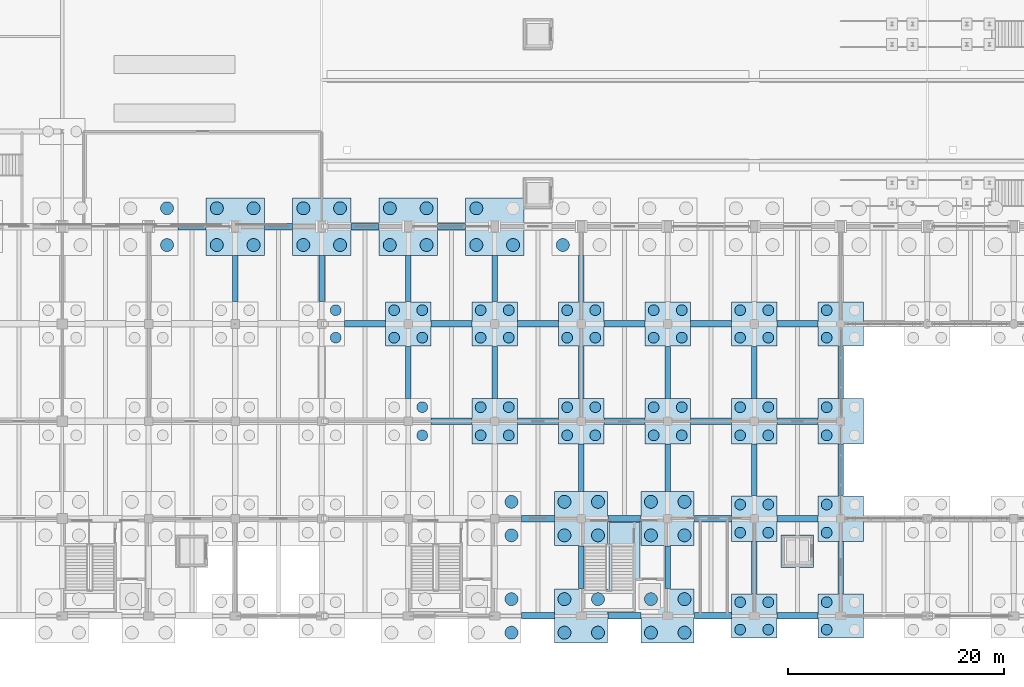
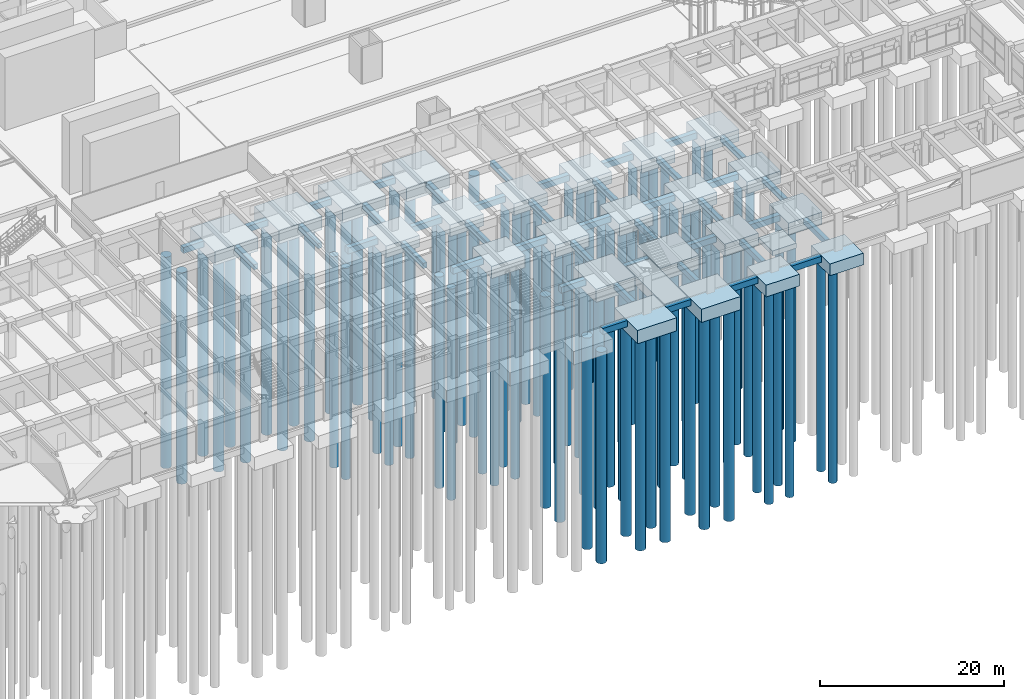
# One storey, part 3 of 147: 94 piles, 67 footings.
"""IFC4 building model written with IfcOpenShell, lengths in metres."""

from ifc_helpers import new_model, si_unit, direction, frame, origin, origin_2d, place, context, subcontext, project, spatial, rectangle, circle, extrude, material, layer, layer_set, material_profile, profile_set, type_object, element, save


model = new_model("IFC4")

# Units and contexts
model_context = context("Model", 3, precision=1e-05, world=origin(), true_north=direction((0.0, 1.0)))
body_context = subcontext(model_context, "Body", "Model", "MODEL_VIEW")
ifc_project = project(units=[si_unit("LENGTHUNIT", "METRE"), si_unit("AREAUNIT", "SQUARE_METRE"), si_unit("VOLUMEUNIT", "CUBIC_METRE"), si_unit("PLANEANGLEUNIT", "RADIAN"), si_unit("MASSUNIT", "GRAM", prefix="KILO")], contexts=[model_context])

# Site, building, storey
site_placement = place(None, origin())
site = spatial("IfcSite", under=ifc_project, at=site_placement, CompositionType="ELEMENT")
building_placement = place(site_placement, origin())
building = spatial("IfcBuilding", under=site, at=building_placement, Name="Varnabhumi Central Station", CompositionType="ELEMENT")
storey_placement = place(building_placement, origin())
storey = spatial("IfcBuildingStorey", under=building, at=storey_placement, Name="L00", CompositionType="ELEMENT", Elevation=0.0)

# Footings
ifc_material_1 = material(Name="Concrete M40", Category="concrete")
ifc_layer_1 = layer(ifc_material_1, 1.75, Name="Concrete M40", Category="concrete")
ifc_layer_set_1 = layer_set([ifc_layer_1], Name="Concrete M40")
footing_type_1 = type_object("IfcFootingType", Name="CAP-CORE-6S", PredefinedType="PILE_CAP", material=ifc_layer_set_1)
for number, where, z_axis, x_axis, name in (
    (1, (88.0, 0.0, -2.050048828125), (0.0, 0.0, 1.0), (1.0, 0.0, 0.0), "Pile Cap 12-A"),
    (2, (88.0, 9.0, -2.050048828125), (0.0, 0.0, 1.0), (1.0, 0.0, 0.0), "Pile Cap 12-B"),
    (3, (96.0, 0.0, -2.050048828125), (0.0, 0.0, 1.0), (1.0, 0.0, 0.0), "Pile Cap 13-A"),
    (4, (96.0, 9.0, -2.050048828125), (0.0, 0.0, 1.0), (1.0, 0.0, 0.0), "Pile Cap 13-B"),
):
    element("IfcFooting", number, at=place(storey_placement, frame(where, z_axis=z_axis, x_axis=x_axis)), inside=storey, type_object=footing_type_1, Name=name, PredefinedType="PILE_CAP", context=body_context, shape_type="SweptSolid", body=[
        extrude(rectangle(XDim=4.89990234375, YDim=5.0, at=origin_2d()), origin(), (0.0, 0.0, 1.0), 1.75),
    ])
ifc_layer_2 = layer(ifc_material_1, 1.60009765625, Name="Concrete M40", Category="concrete")
ifc_layer_set_2 = layer_set([ifc_layer_2], Name="Concrete M40")
footing_type_2 = type_object("IfcFootingType", Name="CAP-SOUTH-INT", PredefinedType="PILE_CAP", material=ifc_layer_set_2)
for number, where, z_axis, x_axis, name in (
    (5, (80.0, 18.0, -1.900146484375), (0.0, 0.0, 1.0), (1.0, 0.0, 0.0), "Pile Cap 11-C"),
    (6, (88.0, 18.0, -1.900146484375), (0.0, 0.0, 1.0), (1.0, 0.0, 0.0), "Pile Cap 12-C"),
    (7, (96.0, 18.0, -1.900146484375), (0.0, 0.0, 1.0), (1.0, 0.0, 0.0), "Pile Cap 13-C"),
    (8, (104.0, 9.0, -1.900146484375), (0.0, 0.0, 1.0), (1.0, 0.0, 0.0), "Pile Cap 14-B"),
    (9, (104.0, 18.0, -1.900146484375), (0.0, 0.0, 1.0), (1.0, 0.0, 0.0), "Pile Cap 14-C"),
    (10, (112.0, 9.0, -1.900146484375), (0.0, 0.0, 1.0), (1.0, 0.0, 0.0), "Pile Cap 15-B"),
    (11, (112.0, 18.0, -1.900146484375), (0.0, 0.0, 1.0), (1.0, 0.0, 0.0), "Pile Cap 15-C"),
):
    element("IfcFooting", number, at=place(storey_placement, frame(where, z_axis=z_axis, x_axis=x_axis)), inside=storey, type_object=footing_type_2, Name=name, PredefinedType="PILE_CAP", context=body_context, shape_type="SweptSolid", body=[
        extrude(rectangle(XDim=4.199951171875, YDim=4.199951171875, at=origin_2d()), origin(), (0.0, 0.0, 1.0), 1.60009765625),
    ])
ifc_layer_3 = layer(ifc_material_1, 1.550048828125, Name="Concrete M40", Category="concrete")
ifc_layer_set_3 = layer_set([ifc_layer_3], Name="Concrete M40")
footing_type_3 = type_object("IfcFootingType", Name="CAP-SOUTH-PER", PredefinedType="PILE_CAP", material=ifc_layer_set_3)
for number, where, z_axis, x_axis, name in (
    (12, (72.0, 27.0, -1.85009765625), (0.0, 0.0, 1.0), (1.0, 0.0, 0.0), "Pile Cap 10-D"),
    (13, (80.0, 27.0, -1.85009765625), (0.0, 0.0, 1.0), (1.0, 0.0, 0.0), "Pile Cap 11-D"),
    (14, (88.0, 27.0, -1.85009765625), (0.0, 0.0, 1.0), (1.0, 0.0, 0.0), "Pile Cap 12-D"),
    (15, (96.0, 27.0, -1.85009765625), (0.0, 0.0, 1.0), (1.0, 0.0, 0.0), "Pile Cap 13-D"),
    (16, (104.0, 0.0, -1.85009765625), (0.0, 0.0, 1.0), (1.0, 0.0, 0.0), "Pile Cap 14-A"),
    (17, (104.0, 27.0, -1.85009765625), (0.0, 0.0, 1.0), (1.0, 0.0, 0.0), "Pile Cap 14-D"),
    (18, (112.0, 0.0, -1.85009765625), (0.0, 0.0, 1.0), (1.0, 0.0, 0.0), "Pile Cap 15-A"),
    (19, (112.0, 27.0, -1.85009765625), (0.0, 0.0, 1.0), (1.0, 0.0, 0.0), "Pile Cap 15-D"),
):
    element("IfcFooting", number, at=place(storey_placement, frame(where, z_axis=z_axis, x_axis=x_axis)), inside=storey, type_object=footing_type_3, Name=name, PredefinedType="PILE_CAP", context=body_context, shape_type="SweptSolid", body=[
        extrude(rectangle(XDim=4.199951171875, YDim=4.10009765625, at=origin_2d()), origin(), (0.0, 0.0, 1.0), 1.550048828125),
    ])
ifc_layer_4 = layer(ifc_material_1, 1.800048828125, Name="Concrete M40", Category="concrete")
ifc_layer_set_4 = layer_set([ifc_layer_4], Name="Concrete M40")
footing_type_4 = type_object("IfcFootingType", Name="CAP-SPINE-HVY", PredefinedType="PILE_CAP", material=ifc_layer_set_4)
for number, where, z_axis, x_axis, name in (
    (20, (56.0, 36.0, -2.10009765625), (0.0, 0.0, 1.0), (1.0, 0.0, 0.0), "Pile Cap 8-E"),
    (21, (64.0, 36.0, -2.10009765625), (0.0, 0.0, 1.0), (1.0, 0.0, 0.0), "Pile Cap 9-E"),
    (22, (72.0, 36.0, -2.10009765625), (0.0, 0.0, 1.0), (1.0, 0.0, 0.0), "Pile Cap 10-E"),
    (23, (80.0, 36.0, -2.10009765625), (0.0, 0.0, 1.0), (1.0, 0.0, 0.0), "Pile Cap 11-E"),
):
    element("IfcFooting", number, at=place(storey_placement, frame(where, z_axis=z_axis, x_axis=x_axis)), inside=storey, type_object=footing_type_4, Name=name, PredefinedType="PILE_CAP", context=body_context, shape_type="SweptSolid", body=[
        extrude(rectangle(XDim=5.39990234375, YDim=5.300048828125, at=origin_2d()), origin(), (0.0, 0.0, 1.0), 1.800048828125),
    ])
footing_type_5 = type_object("IfcFootingType", Name="FTG-STRIP-PLAT", PredefinedType="STRIP_FOOTING", material=ifc_material_1)
footing_1_placement = place(storey_placement, frame((92.0, 4.5, -1.60009765625), z_axis=(0.0, 0.0, 1.0), x_axis=(1.0, 0.0, 0.0)))
element("IfcFooting", 24, at=footing_1_placement, inside=storey, type_object=footing_type_5, Name="Core Foundation Mat SC2", PredefinedType="STRIP_FOOTING", context=body_context, shape_type="SweptSolid", body=[
    extrude(rectangle(XDim=2.89990234375, YDim=8.300048828125, at=origin_2d()), origin(), (0.0, 0.0, 1.0), 1.300048828125),
])
footing_2_placement = place(storey_placement, frame((108.0, 6.0, -2.0), z_axis=(0.0, 0.0, 1.0), x_axis=(1.0, 0.0, 0.0)))
element("IfcFooting", 25, at=footing_2_placement, inside=storey, type_object=footing_type_5, Name="Lift Shaft Foundation Pad PL-8", PredefinedType="STRIP_FOOTING", context=body_context, shape_type="SweptSolid", body=[
    extrude(rectangle(XDim=3.0, YDim=3.0, at=origin_2d()), origin(), (0.0, 0.0, 1.0), 0.64990234375),
])
footing_type_6 = type_object("IfcFootingType", Name="FTG-TIE-500x700", PredefinedType="FOOTING_BEAM", material=ifc_material_1)
for number, where, z_axis, x_axis, name in (
    (26, (56.0, 31.199951171875, -1.0), (0.0, 0.0, 1.0), (1.0, 0.0, 0.0), "Plinth Tie Beam 8:D-E"),
    (27, (64.0, 31.199951171875, -1.0), (0.0, 0.0, 1.0), (1.0, 0.0, 0.0), "Plinth Tie Beam 9:D-E"),
):
    element("IfcFooting", number, at=place(storey_placement, frame(where, z_axis=z_axis, x_axis=x_axis)), inside=storey, type_object=footing_type_6, Name=name, PredefinedType="FOOTING_BEAM", context=body_context, shape_type="SweptSolid", body=[
        extrude(rectangle(XDim=0.5, YDim=4.260009765625, at=origin_2d()), origin(), (0.0, 0.0, 1.0), 0.699951171875),
    ])
footing_3_placement = place(storey_placement, frame((72.0, 22.52490234375, -1.0), z_axis=(0.0, 0.0, 1.0), x_axis=(1.0, 0.0, 0.0)))
element("IfcFooting", 28, at=footing_3_placement, inside=storey, type_object=footing_type_6, Name="Plinth Tie Beam 10:C-D", PredefinedType="FOOTING_BEAM", context=body_context, shape_type="SweptSolid", body=[
    extrude(rectangle(XDim=0.5, YDim=4.81005859375, at=origin_2d()), origin(), (0.0, 0.0, 1.0), 0.699951171875),
])
footing_4_placement = place(storey_placement, frame((72.0, 31.199951171875, -1.0), z_axis=(0.0, 0.0, 1.0), x_axis=(1.0, 0.0, 0.0)))
element("IfcFooting", 29, at=footing_4_placement, inside=storey, type_object=footing_type_6, Name="Plinth Tie Beam 10:D-E", PredefinedType="FOOTING_BEAM", context=body_context, shape_type="SweptSolid", body=[
    extrude(rectangle(XDim=0.5, YDim=4.260009765625, at=origin_2d()), origin(), (0.0, 0.0, 1.0), 0.699951171875),
])
footing_5_placement = place(storey_placement, frame((80.0, 22.52490234375, -1.0), z_axis=(0.0, 0.0, 1.0), x_axis=(1.0, 0.0, 0.0)))
element("IfcFooting", 30, at=footing_5_placement, inside=storey, type_object=footing_type_6, Name="Plinth Tie Beam 11:C-D", PredefinedType="FOOTING_BEAM", context=body_context, shape_type="SweptSolid", body=[
    extrude(rectangle(XDim=0.5, YDim=4.81005859375, at=origin_2d()), origin(), (0.0, 0.0, 1.0), 0.699951171875),
])
footing_6_placement = place(storey_placement, frame((80.0, 31.199951171875, -1.0), z_axis=(0.0, 0.0, 1.0), x_axis=(1.0, 0.0, 0.0)))
element("IfcFooting", 31, at=footing_6_placement, inside=storey, type_object=footing_type_6, Name="Plinth Tie Beam 11:D-E", PredefinedType="FOOTING_BEAM", context=body_context, shape_type="SweptSolid", body=[
    extrude(rectangle(XDim=0.5, YDim=4.260009765625, at=origin_2d()), origin(), (0.0, 0.0, 1.0), 0.699951171875),
])
footing_7_placement = place(storey_placement, frame((88.0, 4.5, -1.0), z_axis=(0.0, 0.0, 1.0), x_axis=(1.0, 0.0, 0.0)))
element("IfcFooting", 32, at=footing_7_placement, inside=storey, type_object=footing_type_6, Name="Plinth Tie Beam 12:A-B", PredefinedType="FOOTING_BEAM", context=body_context, shape_type="SweptSolid", body=[
    extrude(rectangle(XDim=0.5, YDim=3.9599609375, at=origin_2d()), origin(), (0.0, 0.0, 1.0), 0.699951171875),
])
footing_8_placement = place(storey_placement, frame((88.0, 13.699951171875, -1.0), z_axis=(0.0, 0.0, 1.0), x_axis=(1.0, 0.0, 0.0)))
element("IfcFooting", 33, at=footing_8_placement, inside=storey, type_object=footing_type_6, Name="Plinth Tie Beam 12:B-C", PredefinedType="FOOTING_BEAM", context=body_context, shape_type="SweptSolid", body=[
    extrude(rectangle(XDim=0.5, YDim=4.360107421875, at=origin_2d()), origin(), (0.0, 0.0, 1.0), 0.699951171875),
])
footing_9_placement = place(storey_placement, frame((88.0, 22.52490234375, -1.0), z_axis=(0.0, 0.0, 1.0), x_axis=(1.0, 0.0, 0.0)))
element("IfcFooting", 34, at=footing_9_placement, inside=storey, type_object=footing_type_6, Name="Plinth Tie Beam 12:C-D", PredefinedType="FOOTING_BEAM", context=body_context, shape_type="SweptSolid", body=[
    extrude(rectangle(XDim=0.5, YDim=4.81005859375, at=origin_2d()), origin(), (0.0, 0.0, 1.0), 0.699951171875),
])
footing_10_placement = place(storey_placement, frame((88.0, 31.199951171875, -1.0), z_axis=(0.0, 0.0, 1.0), x_axis=(1.0, 0.0, 0.0)))
element("IfcFooting", 35, at=footing_10_placement, inside=storey, type_object=footing_type_6, Name="Plinth Tie Beam 12:D-E", PredefinedType="FOOTING_BEAM", context=body_context, shape_type="SweptSolid", body=[
    extrude(rectangle(XDim=0.5, YDim=4.260009765625, at=origin_2d()), origin(), (0.0, 0.0, 1.0), 0.699951171875),
])
footing_11_placement = place(storey_placement, frame((96.0, 4.5, -1.0), z_axis=(0.0, 0.0, 1.0), x_axis=(1.0, 0.0, 0.0)))
element("IfcFooting", 36, at=footing_11_placement, inside=storey, type_object=footing_type_6, Name="Plinth Tie Beam 13:A-B", PredefinedType="FOOTING_BEAM", context=body_context, shape_type="SweptSolid", body=[
    extrude(rectangle(XDim=0.5, YDim=3.9599609375, at=origin_2d()), origin(), (0.0, 0.0, 1.0), 0.699951171875),
])
footing_12_placement = place(storey_placement, frame((96.0, 13.699951171875, -1.0), z_axis=(0.0, 0.0, 1.0), x_axis=(1.0, 0.0, 0.0)))
element("IfcFooting", 37, at=footing_12_placement, inside=storey, type_object=footing_type_6, Name="Plinth Tie Beam 13:B-C", PredefinedType="FOOTING_BEAM", context=body_context, shape_type="SweptSolid", body=[
    extrude(rectangle(XDim=0.5, YDim=4.360107421875, at=origin_2d()), origin(), (0.0, 0.0, 1.0), 0.699951171875),
])
for number, where, z_axis, x_axis, name in (
    (38, (96.0, 22.52490234375, -1.0), (0.0, 0.0, 1.0), (1.0, 0.0, 0.0), "Plinth Tie Beam 13:C-D"),
    (39, (104.0, 4.47509765625, -1.0), (0.0, 0.0, 1.0), (1.0, 0.0, 0.0), "Plinth Tie Beam 14:A-B"),
):
    element("IfcFooting", number, at=place(storey_placement, frame(where, z_axis=z_axis, x_axis=x_axis)), inside=storey, type_object=footing_type_6, Name=name, PredefinedType="FOOTING_BEAM", context=body_context, shape_type="SweptSolid", body=[
        extrude(rectangle(XDim=0.5, YDim=4.81005859375, at=origin_2d()), origin(), (0.0, 0.0, 1.0), 0.699951171875),
    ])
footing_13_placement = place(storey_placement, frame((104.0, 13.5, -1.0), z_axis=(0.0, 0.0, 1.0), x_axis=(1.0, 0.0, 0.0)))
element("IfcFooting", 40, at=footing_13_placement, inside=storey, type_object=footing_type_6, Name="Plinth Tie Beam 14:B-C", PredefinedType="FOOTING_BEAM", context=body_context, shape_type="SweptSolid", body=[
    extrude(rectangle(XDim=0.5, YDim=4.760009765625, at=origin_2d()), origin(), (0.0, 0.0, 1.0), 0.699951171875),
])
for number, where, z_axis, x_axis, name in (
    (41, (104.0, 22.52490234375, -1.0), (0.0, 0.0, 1.0), (1.0, 0.0, 0.0), "Plinth Tie Beam 14:C-D"),
    (42, (112.0, 4.47509765625, -1.0), (0.0, 0.0, 1.0), (1.0, 0.0, 0.0), "Plinth Tie Beam 15:A-B"),
):
    element("IfcFooting", number, at=place(storey_placement, frame(where, z_axis=z_axis, x_axis=x_axis)), inside=storey, type_object=footing_type_6, Name=name, PredefinedType="FOOTING_BEAM", context=body_context, shape_type="SweptSolid", body=[
        extrude(rectangle(XDim=0.5, YDim=4.81005859375, at=origin_2d()), origin(), (0.0, 0.0, 1.0), 0.699951171875),
    ])
footing_14_placement = place(storey_placement, frame((112.0, 13.5, -1.0), z_axis=(0.0, 0.0, 1.0), x_axis=(1.0, 0.0, 0.0)))
element("IfcFooting", 43, at=footing_14_placement, inside=storey, type_object=footing_type_6, Name="Plinth Tie Beam 15:B-C", PredefinedType="FOOTING_BEAM", context=body_context, shape_type="SweptSolid", body=[
    extrude(rectangle(XDim=0.5, YDim=4.760009765625, at=origin_2d()), origin(), (0.0, 0.0, 1.0), 0.699951171875),
])
footing_15_placement = place(storey_placement, frame((112.0, 22.52490234375, -1.0), z_axis=(0.0, 0.0, 1.0), x_axis=(1.0, 0.0, 0.0)))
element("IfcFooting", 44, at=footing_15_placement, inside=storey, type_object=footing_type_6, Name="Plinth Tie Beam 15:C-D", PredefinedType="FOOTING_BEAM", context=body_context, shape_type="SweptSolid", body=[
    extrude(rectangle(XDim=0.5, YDim=4.81005859375, at=origin_2d()), origin(), (0.0, 0.0, 1.0), 0.699951171875),
])
footing_type_7 = type_object("IfcFootingType", Name="FTG-TIE-600x800", PredefinedType="FOOTING_BEAM", material=ifc_material_1)
for number, where, z_axis, x_axis, name in (
    (45, (52.0, 36.0, -1.10009765625), (0.0, 0.0, 1.0), (1.0, 0.0, 0.0), "Plinth Tie Beam E:7-8"),
    (46, (60.0, 36.0, -1.10009765625), (0.0, 0.0, 1.0), (1.0, 0.0, 0.0), "Plinth Tie Beam E:8-9"),
):
    element("IfcFooting", number, at=place(storey_placement, frame(where, z_axis=z_axis, x_axis=x_axis)), inside=storey, type_object=footing_type_7, Name=name, PredefinedType="FOOTING_BEAM", context=body_context, shape_type="SweptSolid", body=[
        extrude(rectangle(XDim=2.56005859375, YDim=0.60009765625, at=origin_2d()), origin(), (0.0, 0.0, 1.0), 0.800048828125),
    ])
footing_16_placement = place(storey_placement, frame((68.0, 27.0, -1.10009765625), z_axis=(0.0, 0.0, 1.0), x_axis=(1.0, 0.0, 0.0)))
element("IfcFooting", 47, at=footing_16_placement, inside=storey, type_object=footing_type_7, Name="Plinth Tie Beam D:9-10", PredefinedType="FOOTING_BEAM", context=body_context, shape_type="SweptSolid", body=[
    extrude(rectangle(XDim=3.760009765625, YDim=0.60009765625, at=origin_2d()), origin(), (0.0, 0.0, 1.0), 0.800048828125),
])
footing_17_placement = place(storey_placement, frame((68.0, 36.0, -1.10009765625), z_axis=(0.0, 0.0, 1.0), x_axis=(1.0, 0.0, 0.0)))
element("IfcFooting", 48, at=footing_17_placement, inside=storey, type_object=footing_type_7, Name="Plinth Tie Beam E:9-10", PredefinedType="FOOTING_BEAM", context=body_context, shape_type="SweptSolid", body=[
    extrude(rectangle(XDim=2.56005859375, YDim=0.60009765625, at=origin_2d()), origin(), (0.0, 0.0, 1.0), 0.800048828125),
])
for number, where, z_axis, x_axis, name in (
    (49, (76.0, 18.0, -1.10009765625), (0.0, 0.0, 1.0), (1.0, 0.0, 0.0), "Plinth Tie Beam C:10-11"),
    (50, (76.0, 27.0, -1.10009765625), (0.0, 0.0, 1.0), (1.0, 0.0, 0.0), "Plinth Tie Beam D:10-11"),
):
    element("IfcFooting", number, at=place(storey_placement, frame(where, z_axis=z_axis, x_axis=x_axis)), inside=storey, type_object=footing_type_7, Name=name, PredefinedType="FOOTING_BEAM", context=body_context, shape_type="SweptSolid", body=[
        extrude(rectangle(XDim=3.760009765625, YDim=0.60009765625, at=origin_2d()), origin(), (0.0, 0.0, 1.0), 0.800048828125),
    ])
footing_18_placement = place(storey_placement, frame((76.0, 36.0, -1.10009765625), z_axis=(0.0, 0.0, 1.0), x_axis=(1.0, 0.0, 0.0)))
element("IfcFooting", 51, at=footing_18_placement, inside=storey, type_object=footing_type_7, Name="Plinth Tie Beam E:10-11", PredefinedType="FOOTING_BEAM", context=body_context, shape_type="SweptSolid", body=[
    extrude(rectangle(XDim=2.56005859375, YDim=0.60009765625, at=origin_2d()), origin(), (0.0, 0.0, 1.0), 0.800048828125),
])
for number, where, z_axis, x_axis, name in (
    (52, (84.0, 0.0, -1.10009765625), (0.0, 0.0, 1.0), (1.0, 0.0, 0.0), "Plinth Tie Beam A:11-12"),
    (53, (84.0, 9.0, -1.10009765625), (0.0, 0.0, 1.0), (1.0, 0.0, 0.0), "Plinth Tie Beam B:11-12"),
):
    element("IfcFooting", number, at=place(storey_placement, frame(where, z_axis=z_axis, x_axis=x_axis)), inside=storey, type_object=footing_type_7, Name=name, PredefinedType="FOOTING_BEAM", context=body_context, shape_type="SweptSolid", body=[
        extrude(rectangle(XDim=3.06005859375, YDim=0.60009765625, at=origin_2d()), origin(), (0.0, 0.0, 1.0), 0.800048828125),
    ])
for number, where, z_axis, x_axis, name in (
    (54, (84.0, 18.0, -1.10009765625), (0.0, 0.0, 1.0), (1.0, 0.0, 0.0), "Plinth Tie Beam C:11-12"),
    (55, (84.0, 27.0, -1.10009765625), (0.0, 0.0, 1.0), (1.0, 0.0, 0.0), "Plinth Tie Beam D:11-12"),
):
    element("IfcFooting", number, at=place(storey_placement, frame(where, z_axis=z_axis, x_axis=x_axis)), inside=storey, type_object=footing_type_7, Name=name, PredefinedType="FOOTING_BEAM", context=body_context, shape_type="SweptSolid", body=[
        extrude(rectangle(XDim=3.760009765625, YDim=0.60009765625, at=origin_2d()), origin(), (0.0, 0.0, 1.0), 0.800048828125),
    ])
for number, where, z_axis, x_axis, name in (
    (56, (92.0, 0.0, -1.10009765625), (0.0, 0.0, 1.0), (1.0, 0.0, 0.0), "Plinth Tie Beam A:12-13"),
    (57, (92.0, 9.0, -1.10009765625), (0.0, 0.0, 1.0), (1.0, 0.0, 0.0), "Plinth Tie Beam B:12-13"),
):
    element("IfcFooting", number, at=place(storey_placement, frame(where, z_axis=z_axis, x_axis=x_axis)), inside=storey, type_object=footing_type_7, Name=name, PredefinedType="FOOTING_BEAM", context=body_context, shape_type="SweptSolid", body=[
        extrude(rectangle(XDim=3.06005859375, YDim=0.60009765625, at=origin_2d()), origin(), (0.0, 0.0, 1.0), 0.800048828125),
    ])
for number, where, z_axis, x_axis, name in (
    (58, (92.0, 18.0, -1.10009765625), (0.0, 0.0, 1.0), (1.0, 0.0, 0.0), "Plinth Tie Beam C:12-13"),
    (59, (92.0, 27.0, -1.10009765625), (0.0, 0.0, 1.0), (1.0, 0.0, 0.0), "Plinth Tie Beam D:12-13"),
):
    element("IfcFooting", number, at=place(storey_placement, frame(where, z_axis=z_axis, x_axis=x_axis)), inside=storey, type_object=footing_type_7, Name=name, PredefinedType="FOOTING_BEAM", context=body_context, shape_type="SweptSolid", body=[
        extrude(rectangle(XDim=3.760009765625, YDim=0.60009765625, at=origin_2d()), origin(), (0.0, 0.0, 1.0), 0.800048828125),
    ])
for number, where, z_axis, x_axis, name in (
    (60, (100.175048828125, 0.0, -1.10009765625), (0.0, 0.0, 1.0), (1.0, 0.0, 0.0), "Plinth Tie Beam A:13-14"),
    (61, (100.175048828125, 9.0, -1.10009765625), (0.0, 0.0, 1.0), (1.0, 0.0, 0.0), "Plinth Tie Beam B:13-14"),
):
    element("IfcFooting", number, at=place(storey_placement, frame(where, z_axis=z_axis, x_axis=x_axis)), inside=storey, type_object=footing_type_7, Name=name, PredefinedType="FOOTING_BEAM", context=body_context, shape_type="SweptSolid", body=[
        extrude(rectangle(XDim=3.409912109375, YDim=0.60009765625, at=origin_2d()), origin(), (0.0, 0.0, 1.0), 0.800048828125),
    ])
for number, where, z_axis, x_axis, name in (
    (62, (100.0, 18.0, -1.10009765625), (0.0, 0.0, 1.0), (1.0, 0.0, 0.0), "Plinth Tie Beam C:13-14"),
    (63, (100.0, 27.0, -1.10009765625), (0.0, 0.0, 1.0), (1.0, 0.0, 0.0), "Plinth Tie Beam D:13-14"),
    (64, (108.0, 0.0, -1.10009765625), (0.0, 0.0, 1.0), (1.0, 0.0, 0.0), "Plinth Tie Beam A:14-15"),
    (65, (108.0, 9.0, -1.10009765625), (0.0, 0.0, 1.0), (1.0, 0.0, 0.0), "Plinth Tie Beam B:14-15"),
    (66, (108.0, 18.0, -1.10009765625), (0.0, 0.0, 1.0), (1.0, 0.0, 0.0), "Plinth Tie Beam C:14-15"),
    (67, (108.0, 27.0, -1.10009765625), (0.0, 0.0, 1.0), (1.0, 0.0, 0.0), "Plinth Tie Beam D:14-15"),
):
    element("IfcFooting", number, at=place(storey_placement, frame(where, z_axis=z_axis, x_axis=x_axis)), inside=storey, type_object=footing_type_7, Name=name, PredefinedType="FOOTING_BEAM", context=body_context, shape_type="SweptSolid", body=[
        extrude(rectangle(XDim=3.760009765625, YDim=0.60009765625, at=origin_2d()), origin(), (0.0, 0.0, 1.0), 0.800048828125),
    ])

# Piles
ifc_material_2 = material(Name="Concrete M35", Category="concrete")
ifc_material_profile_1 = material_profile(ifc_material_2, circle(Radius=0.5, at=origin_2d()), Name="Concrete M35", Category="concrete")
ifc_profile_set_1 = profile_set([ifc_material_profile_1], Name="Concrete M35")
pile_type_1 = type_object("IfcPileType", Name="PILE-D1000", PredefinedType="BORED", material=ifc_profile_set_1)
for number, where, z_axis, x_axis, name in (
    (68, (65.300048828125, 25.72998046875, -1.75), (0.0, 0.0, -1.0), (1.0, 0.0, 0.0), "Bored Pile 9-D-P2"),
    (69, (65.300048828125, 28.27001953125, -1.75), (0.0, 0.0, -1.0), (1.0, 0.0, 0.0), "Bored Pile 9-D-P4"),
    (70, (73.300048828125, 16.699951171875, -1.800048828125), (0.0, 0.0, -1.0), (1.0, 0.0, 0.0), "Bored Pile 10-C-P2"),
    (71, (73.300048828125, 19.300048828125, -1.800048828125), (0.0, 0.0, -1.0), (1.0, 0.0, 0.0), "Bored Pile 10-C-P4"),
    (72, (70.699951171875, 25.72998046875, -1.75), (0.0, 0.0, -1.0), (1.0, 0.0, 0.0), "Bored Pile 10-D-P1"),
    (73, (73.300048828125, 25.72998046875, -1.75), (0.0, 0.0, -1.0), (1.0, 0.0, 0.0), "Bored Pile 10-D-P2"),
    (74, (70.699951171875, 28.27001953125, -1.75), (0.0, 0.0, -1.0), (1.0, 0.0, 0.0), "Bored Pile 10-D-P3"),
    (75, (73.300048828125, 28.27001953125, -1.75), (0.0, 0.0, -1.0), (1.0, 0.0, 0.0), "Bored Pile 10-D-P4"),
    (76, (78.699951171875, 16.699951171875, -1.800048828125), (0.0, 0.0, -1.0), (1.0, 0.0, 0.0), "Bored Pile 11-C-P1"),
    (77, (81.300048828125, 16.699951171875, -1.800048828125), (0.0, 0.0, -1.0), (1.0, 0.0, 0.0), "Bored Pile 11-C-P2"),
    (78, (78.699951171875, 19.300048828125, -1.800048828125), (0.0, 0.0, -1.0), (1.0, 0.0, 0.0), "Bored Pile 11-C-P3"),
    (79, (81.300048828125, 19.300048828125, -1.800048828125), (0.0, 0.0, -1.0), (1.0, 0.0, 0.0), "Bored Pile 11-C-P4"),
    (80, (78.699951171875, 25.72998046875, -1.75), (0.0, 0.0, -1.0), (1.0, 0.0, 0.0), "Bored Pile 11-D-P1"),
    (81, (81.300048828125, 25.72998046875, -1.75), (0.0, 0.0, -1.0), (1.0, 0.0, 0.0), "Bored Pile 11-D-P2"),
    (82, (78.699951171875, 28.27001953125, -1.75), (0.0, 0.0, -1.0), (1.0, 0.0, 0.0), "Bored Pile 11-D-P3"),
    (83, (81.300048828125, 28.27001953125, -1.75), (0.0, 0.0, -1.0), (1.0, 0.0, 0.0), "Bored Pile 11-D-P4"),
    (84, (86.699951171875, 16.699951171875, -1.800048828125), (0.0, 0.0, -1.0), (1.0, 0.0, 0.0), "Bored Pile 12-C-P1"),
    (85, (89.300048828125, 16.699951171875, -1.800048828125), (0.0, 0.0, -1.0), (1.0, 0.0, 0.0), "Bored Pile 12-C-P2"),
    (86, (86.699951171875, 19.300048828125, -1.800048828125), (0.0, 0.0, -1.0), (1.0, 0.0, 0.0), "Bored Pile 12-C-P3"),
    (87, (89.300048828125, 19.300048828125, -1.800048828125), (0.0, 0.0, -1.0), (1.0, 0.0, 0.0), "Bored Pile 12-C-P4"),
    (88, (86.699951171875, 25.72998046875, -1.75), (0.0, 0.0, -1.0), (1.0, 0.0, 0.0), "Bored Pile 12-D-P1"),
    (89, (89.300048828125, 25.72998046875, -1.75), (0.0, 0.0, -1.0), (1.0, 0.0, 0.0), "Bored Pile 12-D-P2"),
    (90, (86.699951171875, 28.27001953125, -1.75), (0.0, 0.0, -1.0), (1.0, 0.0, 0.0), "Bored Pile 12-D-P3"),
    (91, (89.300048828125, 28.27001953125, -1.75), (0.0, 0.0, -1.0), (1.0, 0.0, 0.0), "Bored Pile 12-D-P4"),
    (92, (94.699951171875, 16.699951171875, -1.800048828125), (0.0, 0.0, -1.0), (1.0, 0.0, 0.0), "Bored Pile 13-C-P1"),
    (93, (97.300048828125, 16.699951171875, -1.800048828125), (0.0, 0.0, -1.0), (1.0, 0.0, 0.0), "Bored Pile 13-C-P2"),
    (94, (94.699951171875, 19.300048828125, -1.800048828125), (0.0, 0.0, -1.0), (1.0, 0.0, 0.0), "Bored Pile 13-C-P3"),
    (95, (97.300048828125, 19.300048828125, -1.800048828125), (0.0, 0.0, -1.0), (1.0, 0.0, 0.0), "Bored Pile 13-C-P4"),
    (96, (94.699951171875, 25.72998046875, -1.75), (0.0, 0.0, -1.0), (1.0, 0.0, 0.0), "Bored Pile 13-D-P1"),
    (97, (97.300048828125, 25.72998046875, -1.75), (0.0, 0.0, -1.0), (1.0, 0.0, 0.0), "Bored Pile 13-D-P2"),
    (98, (94.699951171875, 28.27001953125, -1.75), (0.0, 0.0, -1.0), (1.0, 0.0, 0.0), "Bored Pile 13-D-P3"),
    (99, (97.300048828125, 28.27001953125, -1.75), (0.0, 0.0, -1.0), (1.0, 0.0, 0.0), "Bored Pile 13-D-P4"),
    (100, (102.699951171875, -1.27001953125, -1.75), (0.0, 0.0, -1.0), (1.0, 0.0, 0.0), "Bored Pile 14-A-P1"),
    (101, (105.300048828125, -1.27001953125, -1.75), (0.0, 0.0, -1.0), (1.0, 0.0, 0.0), "Bored Pile 14-A-P2"),
    (102, (102.699951171875, 1.27001953125, -1.75), (0.0, 0.0, -1.0), (1.0, 0.0, 0.0), "Bored Pile 14-A-P3"),
    (103, (105.300048828125, 1.27001953125, -1.75), (0.0, 0.0, -1.0), (1.0, 0.0, 0.0), "Bored Pile 14-A-P4"),
    (104, (102.699951171875, 7.699951171875, -1.800048828125), (0.0, 0.0, -1.0), (1.0, 0.0, 0.0), "Bored Pile 14-B-P1"),
    (105, (105.300048828125, 7.699951171875, -1.800048828125), (0.0, 0.0, -1.0), (1.0, 0.0, 0.0), "Bored Pile 14-B-P2"),
    (106, (102.699951171875, 10.300048828125, -1.800048828125), (0.0, 0.0, -1.0), (1.0, 0.0, 0.0), "Bored Pile 14-B-P3"),
    (107, (105.300048828125, 10.300048828125, -1.800048828125), (0.0, 0.0, -1.0), (1.0, 0.0, 0.0), "Bored Pile 14-B-P4"),
    (108, (102.699951171875, 16.699951171875, -1.800048828125), (0.0, 0.0, -1.0), (1.0, 0.0, 0.0), "Bored Pile 14-C-P1"),
    (109, (105.300048828125, 16.699951171875, -1.800048828125), (0.0, 0.0, -1.0), (1.0, 0.0, 0.0), "Bored Pile 14-C-P2"),
    (110, (102.699951171875, 19.300048828125, -1.800048828125), (0.0, 0.0, -1.0), (1.0, 0.0, 0.0), "Bored Pile 14-C-P3"),
    (111, (105.300048828125, 19.300048828125, -1.800048828125), (0.0, 0.0, -1.0), (1.0, 0.0, 0.0), "Bored Pile 14-C-P4"),
    (112, (102.699951171875, 25.72998046875, -1.75), (0.0, 0.0, -1.0), (1.0, 0.0, 0.0), "Bored Pile 14-D-P1"),
    (113, (105.300048828125, 25.72998046875, -1.75), (0.0, 0.0, -1.0), (1.0, 0.0, 0.0), "Bored Pile 14-D-P2"),
    (114, (102.699951171875, 28.27001953125, -1.75), (0.0, 0.0, -1.0), (1.0, 0.0, 0.0), "Bored Pile 14-D-P3"),
    (115, (105.300048828125, 28.27001953125, -1.75), (0.0, 0.0, -1.0), (1.0, 0.0, 0.0), "Bored Pile 14-D-P4"),
    (116, (110.699951171875, -1.27001953125, -1.75), (0.0, 0.0, -1.0), (1.0, 0.0, 0.0), "Bored Pile 15-A-P1"),
    (117, (110.699951171875, 1.27001953125, -1.75), (0.0, 0.0, -1.0), (1.0, 0.0, 0.0), "Bored Pile 15-A-P3"),
    (118, (110.699951171875, 7.699951171875, -1.800048828125), (0.0, 0.0, -1.0), (1.0, 0.0, 0.0), "Bored Pile 15-B-P1"),
    (119, (110.699951171875, 10.300048828125, -1.800048828125), (0.0, 0.0, -1.0), (1.0, 0.0, 0.0), "Bored Pile 15-B-P3"),
    (120, (110.699951171875, 16.699951171875, -1.800048828125), (0.0, 0.0, -1.0), (1.0, 0.0, 0.0), "Bored Pile 15-C-P1"),
    (121, (110.699951171875, 19.300048828125, -1.800048828125), (0.0, 0.0, -1.0), (1.0, 0.0, 0.0), "Bored Pile 15-C-P3"),
    (122, (110.699951171875, 25.72998046875, -1.75), (0.0, 0.0, -1.0), (1.0, 0.0, 0.0), "Bored Pile 15-D-P1"),
    (123, (110.699951171875, 28.27001953125, -1.75), (0.0, 0.0, -1.0), (1.0, 0.0, 0.0), "Bored Pile 15-D-P3"),
):
    element("IfcPile", number, at=place(storey_placement, frame(where, z_axis=z_axis, x_axis=x_axis)), inside=storey, type_object=pile_type_1, Name=name, PredefinedType="BORED", context=body_context, shape_type="SweptSolid", body=[
        extrude(circle(Radius=0.5, at=origin_2d()), origin(), (0.0, 0.0, 1.0), 28.0),
    ])
ifc_material_profile_2 = material_profile(ifc_material_2, circle(Radius=0.60009765625, at=origin_2d()), Name="Concrete M35", Category="concrete")
ifc_profile_set_2 = profile_set([ifc_material_profile_2], Name="Concrete M35")
pile_type_2 = type_object("IfcPileType", Name="PILE-D1200", PredefinedType="BORED", material=ifc_profile_set_2)
for number, where, z_axis, x_axis, name in (
    (124, (49.699951171875, 34.300048828125, -2.0), (0.0, 0.0, -1.0), (1.0, 0.0, 0.0), "Bored Pile 7-E-P2"),
    (125, (49.699951171875, 37.699951171875, -2.0), (0.0, 0.0, -1.0), (1.0, 0.0, 0.0), "Bored Pile 7-E-P4"),
    (126, (54.300048828125, 34.300048828125, -2.0), (0.0, 0.0, -1.0), (1.0, 0.0, 0.0), "Bored Pile 8-E-P1"),
    (127, (57.699951171875, 34.300048828125, -2.0), (0.0, 0.0, -1.0), (1.0, 0.0, 0.0), "Bored Pile 8-E-P2"),
    (128, (54.300048828125, 37.699951171875, -2.0), (0.0, 0.0, -1.0), (1.0, 0.0, 0.0), "Bored Pile 8-E-P3"),
    (129, (57.699951171875, 37.699951171875, -2.0), (0.0, 0.0, -1.0), (1.0, 0.0, 0.0), "Bored Pile 8-E-P4"),
    (130, (62.300048828125, 34.300048828125, -2.0), (0.0, 0.0, -1.0), (1.0, 0.0, 0.0), "Bored Pile 9-E-P1"),
    (131, (65.699951171875, 34.300048828125, -2.0), (0.0, 0.0, -1.0), (1.0, 0.0, 0.0), "Bored Pile 9-E-P2"),
    (132, (62.300048828125, 37.699951171875, -2.0), (0.0, 0.0, -1.0), (1.0, 0.0, 0.0), "Bored Pile 9-E-P3"),
    (133, (65.699951171875, 37.699951171875, -2.0), (0.0, 0.0, -1.0), (1.0, 0.0, 0.0), "Bored Pile 9-E-P4"),
    (134, (70.300048828125, 34.300048828125, -2.0), (0.0, 0.0, -1.0), (1.0, 0.0, 0.0), "Bored Pile 10-E-P1"),
    (135, (73.699951171875, 34.300048828125, -2.0), (0.0, 0.0, -1.0), (1.0, 0.0, 0.0), "Bored Pile 10-E-P2"),
    (136, (70.300048828125, 37.699951171875, -2.0), (0.0, 0.0, -1.0), (1.0, 0.0, 0.0), "Bored Pile 10-E-P3"),
    (137, (73.699951171875, 37.699951171875, -2.0), (0.0, 0.0, -1.0), (1.0, 0.0, 0.0), "Bored Pile 10-E-P4"),
    (138, (81.550048828125, -1.550048828125, -1.949951171875), (0.0, 0.0, -1.0), (1.0, 0.0, 0.0), "Bored Pile 11-A-P2"),
    (139, (81.550048828125, 1.550048828125, -1.949951171875), (0.0, 0.0, -1.0), (1.0, 0.0, 0.0), "Bored Pile 11-A-P4"),
    (140, (81.550048828125, 7.449951171875, -1.949951171875), (0.0, 0.0, -1.0), (1.0, 0.0, 0.0), "Bored Pile 11-B-P2"),
    (141, (81.550048828125, 10.550048828125, -1.949951171875), (0.0, 0.0, -1.0), (1.0, 0.0, 0.0), "Bored Pile 11-B-P4"),
    (142, (78.300048828125, 34.300048828125, -2.0), (0.0, 0.0, -1.0), (1.0, 0.0, 0.0), "Bored Pile 11-E-P1"),
    (143, (81.699951171875, 34.300048828125, -2.0), (0.0, 0.0, -1.0), (1.0, 0.0, 0.0), "Bored Pile 11-E-P2"),
    (144, (78.300048828125, 37.699951171875, -2.0), (0.0, 0.0, -1.0), (1.0, 0.0, 0.0), "Bored Pile 11-E-P3"),
    (145, (86.449951171875, -1.550048828125, -1.949951171875), (0.0, 0.0, -1.0), (1.0, 0.0, 0.0), "Bored Pile 12-A-P1"),
    (146, (89.550048828125, -1.550048828125, -1.949951171875), (0.0, 0.0, -1.0), (1.0, 0.0, 0.0), "Bored Pile 12-A-P2"),
    (147, (86.449951171875, 1.550048828125, -1.949951171875), (0.0, 0.0, -1.0), (1.0, 0.0, 0.0), "Bored Pile 12-A-P3"),
    (148, (89.550048828125, 1.550048828125, -1.949951171875), (0.0, 0.0, -1.0), (1.0, 0.0, 0.0), "Bored Pile 12-A-P4"),
    (149, (86.449951171875, 7.449951171875, -1.949951171875), (0.0, 0.0, -1.0), (1.0, 0.0, 0.0), "Bored Pile 12-B-P1"),
    (150, (89.550048828125, 7.449951171875, -1.949951171875), (0.0, 0.0, -1.0), (1.0, 0.0, 0.0), "Bored Pile 12-B-P2"),
    (151, (86.449951171875, 10.550048828125, -1.949951171875), (0.0, 0.0, -1.0), (1.0, 0.0, 0.0), "Bored Pile 12-B-P3"),
    (152, (89.550048828125, 10.550048828125, -1.949951171875), (0.0, 0.0, -1.0), (1.0, 0.0, 0.0), "Bored Pile 12-B-P4"),
    (153, (86.300048828125, 34.300048828125, -2.0), (0.0, 0.0, -1.0), (1.0, 0.0, 0.0), "Bored Pile 12-E-P1"),
    (154, (94.449951171875, -1.550048828125, -1.949951171875), (0.0, 0.0, -1.0), (1.0, 0.0, 0.0), "Bored Pile 13-A-P1"),
    (155, (97.550048828125, -1.550048828125, -1.949951171875), (0.0, 0.0, -1.0), (1.0, 0.0, 0.0), "Bored Pile 13-A-P2"),
    (156, (94.449951171875, 1.550048828125, -1.949951171875), (0.0, 0.0, -1.0), (1.0, 0.0, 0.0), "Bored Pile 13-A-P3"),
    (157, (97.550048828125, 1.550048828125, -1.949951171875), (0.0, 0.0, -1.0), (1.0, 0.0, 0.0), "Bored Pile 13-A-P4"),
    (158, (94.449951171875, 7.449951171875, -1.949951171875), (0.0, 0.0, -1.0), (1.0, 0.0, 0.0), "Bored Pile 13-B-P1"),
    (159, (97.550048828125, 7.449951171875, -1.949951171875), (0.0, 0.0, -1.0), (1.0, 0.0, 0.0), "Bored Pile 13-B-P2"),
    (160, (94.449951171875, 10.550048828125, -1.949951171875), (0.0, 0.0, -1.0), (1.0, 0.0, 0.0), "Bored Pile 13-B-P3"),
    (161, (97.550048828125, 10.550048828125, -1.949951171875), (0.0, 0.0, -1.0), (1.0, 0.0, 0.0), "Bored Pile 13-B-P4"),
):
    element("IfcPile", number, at=place(storey_placement, frame(where, z_axis=z_axis, x_axis=x_axis)), inside=storey, type_object=pile_type_2, Name=name, PredefinedType="BORED", context=body_context, shape_type="SweptSolid", body=[
        extrude(circle(Radius=0.60009765625, at=origin_2d()), origin(), (0.0, 0.0, 1.0), 28.0),
    ])

save(model, "model.ifc")
